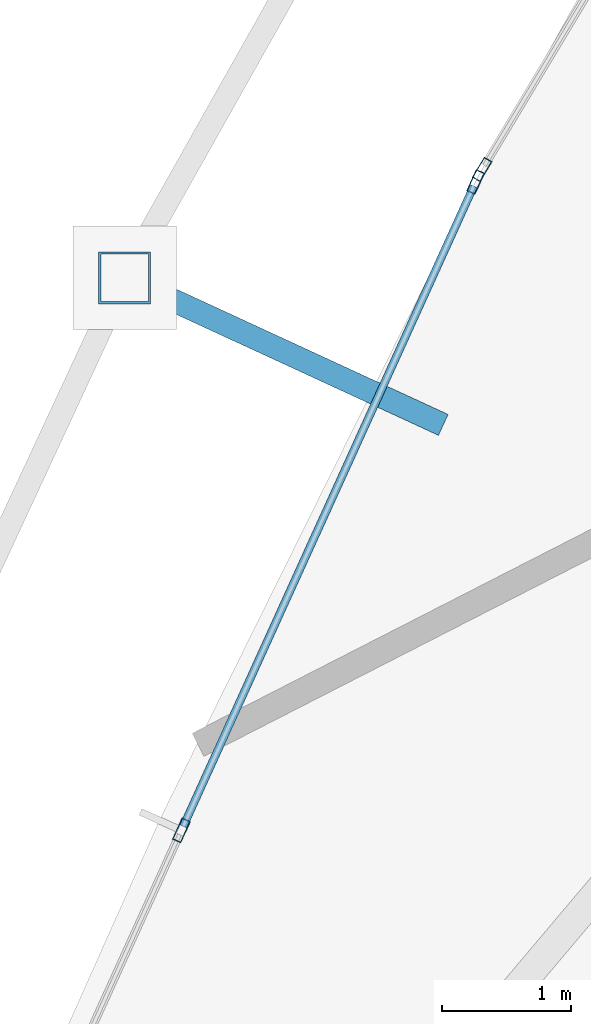
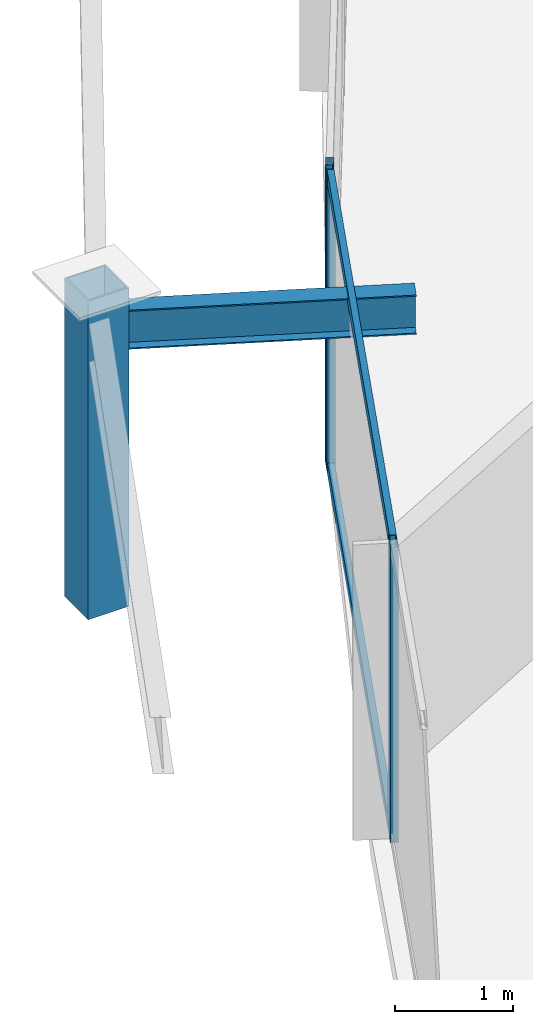
# One storey, part 10 of 31: 6 members, 1 beam, 2 elements without a shape of their own.
"""IFC4 building model written with IfcOpenShell, lengths in metres."""

from ifc_helpers import new_model, si_unit, direction, frame, origin, origin_2d, place, context, subcontext, project, spatial, hollow_rectangle, i_section, extrude, material, layer, layer_set, material_profile, profile_set, type_object, element, aggregate, save


model = new_model("IFC4")

# Units and contexts
model_context = context("Model", 3, precision=1e-05, world=origin(), true_north=direction((0.0, 1.0)))
body_context = subcontext(model_context, "Body", "Model", "MODEL_VIEW")
ifc_project = project(units=[si_unit("LENGTHUNIT", "METRE"), si_unit("AREAUNIT", "SQUARE_METRE"), si_unit("VOLUMEUNIT", "CUBIC_METRE"), si_unit("PLANEANGLEUNIT", "RADIAN"), si_unit("MASSUNIT", "GRAM", prefix="KILO")], contexts=[model_context])

# Site, building, storey
site_placement = place(None, origin())
site = spatial("IfcSite", under=ifc_project, at=site_placement, CompositionType="ELEMENT")
building_placement = place(site_placement, origin())
building = spatial("IfcBuilding", under=site, at=building_placement, Name="Orvanel Arch Residences", CompositionType="ELEMENT")
storey_placement = place(building_placement, frame((0.0, 0.0, 157.25)))
storey = spatial("IfcBuildingStorey", under=building, at=storey_placement, Name="L44", CompositionType="ELEMENT", Elevation=157.25)

# Curtain wall, member
ifc_material_1 = material(Name="Bronze-anodised aluminium AA6063-T6", Category="aluminium")
ifc_layer = layer(ifc_material_1, 0.179931640625)
ifc_layer_set = layer_set([ifc_layer], Name="Bronze-anodised aluminium AA6063-T6")
curtain_wall_type = type_object("IfcCurtainWallType", Name="CW3-MID-SYS", PredefinedType="NOTDEFINED", material=ifc_layer_set)
curtain_wall_1_placement = place(storey_placement, origin())
curtain_wall_1 = element("IfcCurtainWall", 1, at=curtain_wall_1_placement, inside=storey, type_object=curtain_wall_type, Name="L44 CW3-MID-SYS Unitised Curtain Wall", PredefinedType="NOTDEFINED")
ifc_material_profile_1 = material_profile(ifc_material_1, hollow_rectangle(XDim=0.070068359375, YDim=0.179931640625, WallThickness=0.00439453125, at=origin_2d()), Name="ALU180x70x4.5")
ifc_profile_set_1 = profile_set([ifc_material_profile_1], Name="Bronze-anodised aluminium AA6063-T6")
member_type_1 = type_object("IfcMemberType", Name="MUL-180x70", PredefinedType="MULLION", material=ifc_profile_set_1)
member_1_placement = place(storey_placement, frame((14.923095703125, 24.575927734375, 0.0), z_axis=(0.0, 0.0, 1.0), x_axis=(0.857541106242, -0.514415446021, 0.0)))
member_1 = element("IfcMember", 2, at=member_1_placement, type_object=member_type_1, Name="CW-S3 mullion 3", PredefinedType="MULLION", context=body_context, shape_type="SweptSolid", body=[
    extrude(hollow_rectangle(XDim=0.070068359375, YDim=0.179931640625, WallThickness=0.00439453125, at=origin_2d()), origin(), (0.0, 0.0, 1.0), 3.06005859375),
])
aggregate(curtain_wall_1, [member_1])

# Curtain wall, members
curtain_wall_2_placement = place(storey_placement, origin())
curtain_wall_2 = element("IfcCurtainWall", 3, at=curtain_wall_2_placement, inside=storey, type_object=curtain_wall_type, Name="L44 CW3-MID-SYS Unitised Curtain Wall", PredefinedType="NOTDEFINED")
member_2_placement = place(storey_placement, frame((14.87255859375, 24.479248046875, 0.0), z_axis=(0.0, 0.0, 1.0), x_axis=(0.910648730279, -0.413181425091, 0.0)))
member_2 = element("IfcMember", 4, at=member_2_placement, type_object=member_type_1, Name="CW-S3 mullion 1", PredefinedType="MULLION", context=body_context, shape_type="SweptSolid", body=[
    extrude(hollow_rectangle(XDim=0.070068359375, YDim=0.179931640625, WallThickness=0.00439453125, at=origin_2d()), origin(), (0.0, 0.0, 1.0), 3.06005859375),
])
member_3_placement = place(storey_placement, frame((12.599365234375, 19.468994140625, 0.0), z_axis=(0.0, 0.0, 1.0), x_axis=(0.910648730279, -0.413181425091, 0.0)))
member_3 = element("IfcMember", 5, at=member_3_placement, type_object=member_type_1, Name="CW-S3 mullion 2", PredefinedType="MULLION", context=body_context, shape_type="SweptSolid", body=[
    extrude(hollow_rectangle(XDim=0.070068359375, YDim=0.179931640625, WallThickness=0.00439453125, at=origin_2d()), origin(), (0.0, 0.0, 1.0), 3.06005859375),
])

# Beam
ifc_material_2 = material(Name="Structural steel AS/NZS 3679.1 Grade 300 (300 MPa)", Category="steel")
ifc_material_profile_2 = material_profile(ifc_material_2, i_section(OverallWidth=0.177978515625, OverallDepth=0.406005859375, WebThickness=0.0078125, FlangeThickness=0.0126953125, at=origin_2d()), Name="410UB59.7")
ifc_profile_set_2 = profile_set([ifc_material_profile_2], Name="Structural steel AS/NZS 3679.1 Grade 300 (300 MPa)")
beam_type = type_object("IfcBeamType", Name="OB-410UB-EXT", PredefinedType="SPANDREL", material=ifc_profile_set_2)
beam_placement = place(storey_placement, frame((14.623046875, 22.60205078125, 2.85693359375), z_axis=(-0.90807789362, 0.418801312222, 0.0), x_axis=(-0.418801312222, -0.90807789362, 0.0)))
element("IfcBeam", 6, at=beam_placement, inside=storey, type_object=beam_type, Name="L44 Outer Frame Radial Tie Beam 03", PredefinedType="SPANDREL", context=body_context, shape_type="SweptSolid", body=[
    extrude(i_section(OverallWidth=0.177978515625, OverallDepth=0.406005859375, WebThickness=0.0078125, FlangeThickness=0.0126953125, at=origin_2d()), origin(), (0.0, 0.0, 1.0), 2.71240234375),
])

# Member
ifc_material_3 = material(Name="Structural steel AS/NZS 1163 C450L0 (Grade 450)", Category="steel")
ifc_material_profile_3 = material_profile(ifc_material_3, hollow_rectangle(XDim=0.39990234375, YDim=0.39990234375, WallThickness=0.01611328125, at=origin_2d()), Name="SHS400x400x16")
ifc_profile_set_3 = profile_set([ifc_material_profile_3], Name="Structural steel AS/NZS 1163 C450L0 (Grade 450)")
member_type_2 = type_object("IfcMemberType", Name="ST-400SHS-EXT", PredefinedType="STRUT", material=ifc_profile_set_3)
member_4_placement = place(storey_placement, frame((12.159912109375, 23.738037109375, 0.0), z_axis=(0.0, 0.0, 1.0), x_axis=(1.0, 0.0, 0.0)))
element("IfcMember", 7, at=member_4_placement, inside=storey, type_object=member_type_2, Name="L44 Outer Perimeter Frame Post 03", PredefinedType="STRUT", context=body_context, shape_type="SweptSolid", body=[
    extrude(hollow_rectangle(XDim=0.39990234375, YDim=0.39990234375, WallThickness=0.01611328125, at=origin_2d()), origin(), (0.0, 0.0, 1.0), 3.300048828125),
])

ifc_material_profile_4 = material_profile(ifc_material_1, hollow_rectangle(XDim=0.06005859375, YDim=0.135009765625, WallThickness=0.00390625, at=origin_2d()), Name="ALU135x60x4")
ifc_profile_set_4 = profile_set([ifc_material_profile_4], Name="Bronze-anodised aluminium AA6063-T6")
member_type_3 = type_object("IfcMemberType", Name="TRN-135x60", PredefinedType="USERDEFINED", material=ifc_profile_set_4)
member_5_placement = place(storey_placement, frame((14.858154296875, 24.447265625, 0.030029296875), z_axis=(-0.413203450415, -0.910638736583, 0.0), x_axis=(0.910638736583, -0.413203450415, 0.0)))
member_5 = element("IfcMember", 8, at=member_5_placement, type_object=member_type_3, Name="CW-S3 transom 1.1", ObjectType="TRANSOM", PredefinedType="USERDEFINED", context=body_context, shape_type="SweptSolid", body=[
    extrude(hollow_rectangle(XDim=0.06005859375, YDim=0.135009765625, WallThickness=0.00390625, at=origin_2d()), origin(), (0.0, 0.0, 1.0), 5.431640625),
])

member_6_placement = place(storey_placement, frame((14.858154296875, 24.447265625, 3.030029296875), z_axis=(-0.413203450415, -0.910638736583, 0.0), x_axis=(0.910638736583, -0.413203450415, 0.0)))
member_6 = element("IfcMember", 9, at=member_6_placement, type_object=member_type_3, Name="CW-S3 transom 1.2", ObjectType="TRANSOM", PredefinedType="USERDEFINED", context=body_context, shape_type="SweptSolid", body=[
    extrude(hollow_rectangle(XDim=0.06005859375, YDim=0.135009765625, WallThickness=0.00390625, at=origin_2d()), origin(), (0.0, 0.0, 1.0), 5.431640625),
])

aggregate(curtain_wall_2, [member_2, member_3, member_5, member_6])

save(model, "model.ifc")
